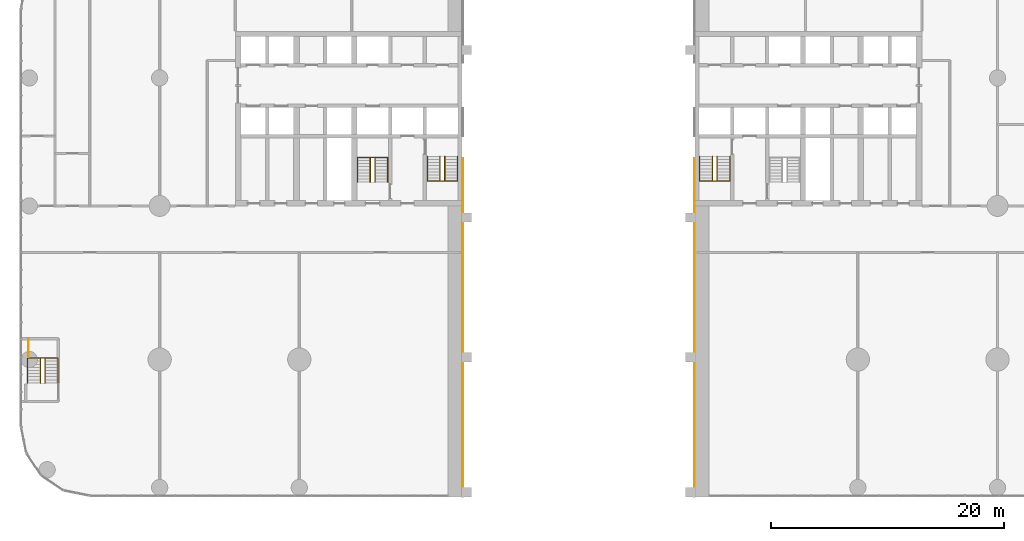
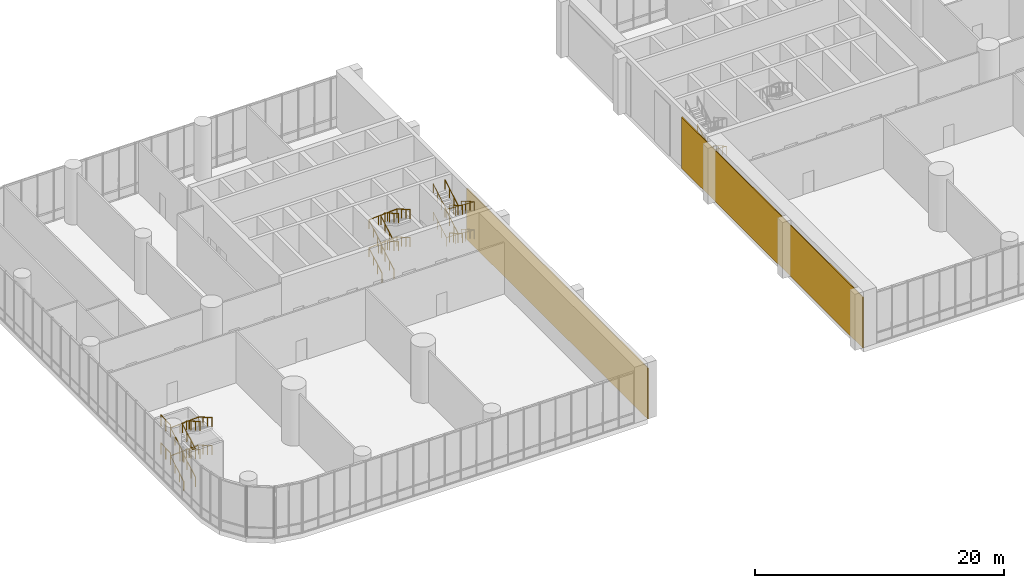
# One storey, part 27 of 28: 16 railings, 2 coverings.
"""IFC4 building model written with IfcOpenShell, lengths in metres."""

from ifc_helpers import new_model, si_unit, direction, frame, frame_2d, origin, origin_2d, place, context, subcontext, project, spatial, rectangle, circle, extrude, material, layer, layer_set, type_object, element, save


model = new_model("IFC4")

# Units and contexts
model_context = context("Model", 3, precision=1e-05, world=origin(), true_north=direction((0.0, 1.0)))
body_context = subcontext(model_context, "Body", "Model", "MODEL_VIEW")
ifc_project = project(units=[si_unit("LENGTHUNIT", "METRE"), si_unit("AREAUNIT", "SQUARE_METRE"), si_unit("VOLUMEUNIT", "CUBIC_METRE"), si_unit("PLANEANGLEUNIT", "RADIAN"), si_unit("MASSUNIT", "GRAM", prefix="KILO")], contexts=[model_context])

# Site, building, storey
site_placement = place(None, origin())
site = spatial("IfcSite", under=ifc_project, at=site_placement, CompositionType="ELEMENT")
building_placement = place(site_placement, origin())
building = spatial("IfcBuilding", under=site, at=building_placement, Name="Torana Hotel and Residences", CompositionType="ELEMENT")
storey_placement = place(building_placement, frame((0.0, 0.0, 7.0)))
storey = spatial("IfcBuildingStorey", under=building, at=storey_placement, Name="L01", CompositionType="ELEMENT", Elevation=7.0)

# Coverings
ifc_material_1 = material(Name="Black metal cladding", Category="metal")
ifc_layer = layer(ifc_material_1, 0.080078125)
ifc_layer_set = layer_set([ifc_layer], Name="CL1 ARCH JAMB CLADDING 80")
covering_type = type_object("IfcCoveringType", Name="CL1 ARCH JAMB CLADDING 80", PredefinedType="CLADDING", material=ifc_layer_set)
for number, where, z_axis, x_axis, name in (
    (1, (-9.9599609375, -40.0, 0.0), (0.0, 0.0, 1.0), (0.0, 1.0, 0.0), "Arch jamb cladding L01 W"),
    (2, (9.9599609375, -40.0, 0.0), (0.0, 0.0, 1.0), (0.0, 1.0, 0.0), "Arch jamb cladding L01 E"),
):
    element("IfcCovering", number, at=place(storey_placement, frame(where, z_axis=z_axis, x_axis=x_axis)), inside=storey, type_object=covering_type, Name=name, PredefinedType="CLADDING", context=body_context, shape_type="SweptSolid", body=[
        extrude(rectangle(XDim=29.10009765625, YDim=0.080078125, at=frame_2d((14.550048828125, 0.0))), origin(), (0.0, 0.0, 1.0), 5.0),
    ])

# Railings
ifc_material_2 = material(Name="Steel S355", Category="steel")
railing_type_1 = type_object("IfcRailingType", Name="STAIR GUARD GR2 1100", PredefinedType="GUARDRAIL", material=ifc_material_2)
for number, where, name in (
    (3, (-47.280029296875, -27.97998046875, 1.375), "Stair guard ST5 L01 landing 1"),
    (4, (-47.280029296875, -27.97998046875, 4.125), "Stair guard ST5 L01 landing 3"),
):
    element("IfcRailing", number, at=place(storey_placement, frame(where)), inside=storey, type_object=railing_type_1, Name=name, PredefinedType="GUARDRAIL", context=body_context, shape_type="SweptSolid", body=[
        extrude(circle(Radius=0.02392578125, at=origin_2d()), frame((0.0, 0.0, 1.076171875), z_axis=(0.0, 1.0, 0.0), x_axis=(-1.0, 0.0, 0.0)), (0.0, 0.0, 1.0), 1.580078125),
        extrude(circle(Radius=0.02099609375, at=origin_2d()), origin(), (0.0, 0.0, 1.0), 1.052001953125),
        extrude(circle(Radius=0.02099609375, at=origin_2d()), frame((0.0, 0.7900390625, 0.0)), (0.0, 0.0, 1.0), 1.052001953125),
        extrude(circle(Radius=0.02099609375, at=origin_2d()), frame((0.0, 1.580078125, 0.0)), (0.0, 0.0, 1.0), 1.052001953125),
    ])
ifc_material_3 = material(Name="Stainless steel 316", Category="steel")
railing_type_2 = type_object("IfcRailingType", Name="STAIR HANDRAIL HR1 900", PredefinedType="HANDRAIL", material=ifc_material_3)
railing_1_placement = place(storey_placement, frame((-10.39990234375, -10.75, 0.15283203125)))
element("IfcRailing", 5, at=railing_1_placement, inside=storey, type_object=railing_type_2, Name="Handrail ST1 L01 O1", PredefinedType="HANDRAIL", context=body_context, shape_type="SweptSolid", body=[
    extrude(circle(Radius=0.02392578125, at=origin_2d()), frame((0.0, 0.0, 0.8759765625), z_axis=(0.0, -0.866358268178, 0.499423018252), x_axis=(1.0, 0.0, 0.0)), (0.0, 0.0, 1.0), 2.447265625),
    extrude(circle(Radius=0.02392578125, at=origin_2d()), frame((0.0, -2.1201171875, 2.09814453125), z_axis=(-0.998276957998, 0.0, 0.058678063447), x_axis=(0.0, -1.0, 0.0)), (0.0, 0.0, 1.0), 2.6044921875),
    extrude(circle(Radius=0.02392578125, at=origin_2d()), frame((-2.60009765625, -2.1201171875, 2.2509765625), z_axis=(0.0, 0.866358268178, 0.499423018252), x_axis=(-1.0, 0.0, 0.0)), (0.0, 0.0, 1.0), 2.447265625),
    extrude(circle(Radius=0.02099609375, at=origin_2d()), origin(), (0.0, 0.0, 1.0), 0.851806640625),
    extrude(circle(Radius=0.02099609375, at=origin_2d()), frame((0.0, -0.706787109375, 0.407470703125)), (0.0, 0.0, 1.0), 0.851806640625),
    extrude(circle(Radius=0.02099609375, at=origin_2d()), frame((0.0, -1.413330078125, 0.814697265625)), (0.0, 0.0, 1.0), 0.851806640625),
    extrude(circle(Radius=0.02099609375, at=origin_2d()), frame((0.0, -2.1201171875, 1.22216796875)), (0.0, 0.0, 1.0), 0.851806640625),
    extrude(circle(Radius=0.02099609375, at=origin_2d()), frame((-0.86669921875, -2.1201171875, 1.273193359375)), (0.0, 0.0, 1.0), 0.851806640625),
    extrude(circle(Radius=0.02099609375, at=origin_2d()), frame((-1.7333984375, -2.1201171875, 1.323974609375)), (0.0, 0.0, 1.0), 0.851806640625),
    extrude(circle(Radius=0.02099609375, at=origin_2d()), frame((-2.60009765625, -2.1201171875, 1.375)), (0.0, 0.0, 1.0), 0.851806640625),
    extrude(circle(Radius=0.02099609375, at=origin_2d()), frame((-2.60009765625, -1.413330078125, 1.782470703125)), (0.0, 0.0, 1.0), 0.851806640625),
    extrude(circle(Radius=0.02099609375, at=origin_2d()), frame((-2.60009765625, -0.706787109375, 2.189697265625)), (0.0, 0.0, 1.0), 0.851806640625),
    extrude(circle(Radius=0.02099609375, at=origin_2d()), frame((-2.60009765625, 0.0, 2.59716796875)), (0.0, 0.0, 1.0), 0.851806640625),
])
railing_2_placement = place(storey_placement, frame((-11.5, -10.75, 0.15283203125)))
element("IfcRailing", 6, at=railing_2_placement, inside=storey, type_object=railing_type_2, Name="Handrail ST1 L01 I1", PredefinedType="HANDRAIL", context=body_context, shape_type="SweptSolid", body=[
    extrude(circle(Radius=0.02392578125, at=origin_2d()), frame((0.0, 0.0, 0.8759765625), z_axis=(0.0, -0.866358268178, 0.499423018252), x_axis=(1.0, 0.0, 0.0)), (0.0, 0.0, 1.0), 2.447265625),
    extrude(circle(Radius=0.02392578125, at=origin_2d()), frame((0.0, -2.1201171875, 2.09814453125), z_axis=(-0.934107774737, 0.0, 0.356991127586), x_axis=(0.0, -1.0, 0.0)), (0.0, 0.0, 1.0), 0.42822265625),
    extrude(circle(Radius=0.02392578125, at=origin_2d()), frame((-0.39990234375, -2.1201171875, 2.2509765625), z_axis=(0.0, 0.866358268178, 0.499423018252), x_axis=(-1.0, 0.0, 0.0)), (0.0, 0.0, 1.0), 2.447265625),
    extrude(circle(Radius=0.02099609375, at=origin_2d()), origin(), (0.0, 0.0, 1.0), 0.851806640625),
    extrude(circle(Radius=0.02099609375, at=origin_2d()), frame((0.0, -0.706787109375, 0.407470703125)), (0.0, 0.0, 1.0), 0.851806640625),
    extrude(circle(Radius=0.02099609375, at=origin_2d()), frame((0.0, -1.413330078125, 0.814697265625)), (0.0, 0.0, 1.0), 0.851806640625),
    extrude(circle(Radius=0.02099609375, at=origin_2d()), frame((0.0, -2.1201171875, 1.22216796875)), (0.0, 0.0, 1.0), 0.851806640625),
    extrude(circle(Radius=0.02099609375, at=origin_2d()), frame((-0.39990234375, -2.1201171875, 1.375)), (0.0, 0.0, 1.0), 0.851806640625),
    extrude(circle(Radius=0.02099609375, at=origin_2d()), frame((-0.39990234375, -1.413330078125, 1.782470703125)), (0.0, 0.0, 1.0), 0.851806640625),
    extrude(circle(Radius=0.02099609375, at=origin_2d()), frame((-0.39990234375, -0.706787109375, 2.189697265625)), (0.0, 0.0, 1.0), 0.851806640625),
    extrude(circle(Radius=0.02099609375, at=origin_2d()), frame((-0.39990234375, 0.0, 2.59716796875)), (0.0, 0.0, 1.0), 0.851806640625),
])
railing_3_placement = place(storey_placement, frame((-10.39990234375, -10.75, 2.90283203125)))
element("IfcRailing", 7, at=railing_3_placement, inside=storey, type_object=railing_type_2, Name="Handrail ST1 L01 O2", PredefinedType="HANDRAIL", context=body_context, shape_type="SweptSolid", body=[
    extrude(circle(Radius=0.02392578125, at=origin_2d()), frame((0.0, 0.0, 0.8759765625), z_axis=(0.0, -0.866358268178, 0.499423018252), x_axis=(1.0, 0.0, 0.0)), (0.0, 0.0, 1.0), 2.447265625),
    extrude(circle(Radius=0.02392578125, at=origin_2d()), frame((0.0, -2.1201171875, 2.09814453125), z_axis=(-0.998276957998, 0.0, 0.058678063447), x_axis=(0.0, -1.0, 0.0)), (0.0, 0.0, 1.0), 2.6044921875),
    extrude(circle(Radius=0.02392578125, at=origin_2d()), frame((-2.60009765625, -2.1201171875, 2.2509765625), z_axis=(0.0, 0.866358268178, 0.499423018252), x_axis=(-1.0, 0.0, 0.0)), (0.0, 0.0, 1.0), 2.447265625),
    extrude(circle(Radius=0.02099609375, at=origin_2d()), origin(), (0.0, 0.0, 1.0), 0.851806640625),
    extrude(circle(Radius=0.02099609375, at=origin_2d()), frame((0.0, -0.706787109375, 0.407470703125)), (0.0, 0.0, 1.0), 0.851806640625),
    extrude(circle(Radius=0.02099609375, at=origin_2d()), frame((0.0, -1.413330078125, 0.814697265625)), (0.0, 0.0, 1.0), 0.851806640625),
    extrude(circle(Radius=0.02099609375, at=origin_2d()), frame((0.0, -2.1201171875, 1.22216796875)), (0.0, 0.0, 1.0), 0.851806640625),
    extrude(circle(Radius=0.02099609375, at=origin_2d()), frame((-0.86669921875, -2.1201171875, 1.273193359375)), (0.0, 0.0, 1.0), 0.851806640625),
    extrude(circle(Radius=0.02099609375, at=origin_2d()), frame((-1.7333984375, -2.1201171875, 1.323974609375)), (0.0, 0.0, 1.0), 0.851806640625),
    extrude(circle(Radius=0.02099609375, at=origin_2d()), frame((-2.60009765625, -2.1201171875, 1.375)), (0.0, 0.0, 1.0), 0.851806640625),
    extrude(circle(Radius=0.02099609375, at=origin_2d()), frame((-2.60009765625, -1.413330078125, 1.782470703125)), (0.0, 0.0, 1.0), 0.851806640625),
    extrude(circle(Radius=0.02099609375, at=origin_2d()), frame((-2.60009765625, -0.706787109375, 2.189697265625)), (0.0, 0.0, 1.0), 0.851806640625),
    extrude(circle(Radius=0.02099609375, at=origin_2d()), frame((-2.60009765625, 0.0, 2.59716796875)), (0.0, 0.0, 1.0), 0.851806640625),
])
railing_4_placement = place(storey_placement, frame((-11.5, -10.75, 2.90283203125)))
element("IfcRailing", 8, at=railing_4_placement, inside=storey, type_object=railing_type_2, Name="Handrail ST1 L01 I2", PredefinedType="HANDRAIL", context=body_context, shape_type="SweptSolid", body=[
    extrude(circle(Radius=0.02392578125, at=origin_2d()), frame((0.0, 0.0, 0.8759765625), z_axis=(0.0, -0.866358268178, 0.499423018252), x_axis=(1.0, 0.0, 0.0)), (0.0, 0.0, 1.0), 2.447265625),
    extrude(circle(Radius=0.02392578125, at=origin_2d()), frame((0.0, -2.1201171875, 2.09814453125), z_axis=(-0.934107774737, 0.0, 0.356991127586), x_axis=(0.0, -1.0, 0.0)), (0.0, 0.0, 1.0), 0.42822265625),
    extrude(circle(Radius=0.02392578125, at=origin_2d()), frame((-0.39990234375, -2.1201171875, 2.2509765625), z_axis=(0.0, 0.866358268178, 0.499423018252), x_axis=(-1.0, 0.0, 0.0)), (0.0, 0.0, 1.0), 2.447265625),
    extrude(circle(Radius=0.02099609375, at=origin_2d()), origin(), (0.0, 0.0, 1.0), 0.851806640625),
    extrude(circle(Radius=0.02099609375, at=origin_2d()), frame((0.0, -0.706787109375, 0.407470703125)), (0.0, 0.0, 1.0), 0.851806640625),
    extrude(circle(Radius=0.02099609375, at=origin_2d()), frame((0.0, -1.413330078125, 0.814697265625)), (0.0, 0.0, 1.0), 0.851806640625),
    extrude(circle(Radius=0.02099609375, at=origin_2d()), frame((0.0, -2.1201171875, 1.22216796875)), (0.0, 0.0, 1.0), 0.851806640625),
    extrude(circle(Radius=0.02099609375, at=origin_2d()), frame((-0.39990234375, -2.1201171875, 1.375)), (0.0, 0.0, 1.0), 0.851806640625),
    extrude(circle(Radius=0.02099609375, at=origin_2d()), frame((-0.39990234375, -1.413330078125, 1.782470703125)), (0.0, 0.0, 1.0), 0.851806640625),
    extrude(circle(Radius=0.02099609375, at=origin_2d()), frame((-0.39990234375, -0.706787109375, 2.189697265625)), (0.0, 0.0, 1.0), 0.851806640625),
    extrude(circle(Radius=0.02099609375, at=origin_2d()), frame((-0.39990234375, 0.0, 2.59716796875)), (0.0, 0.0, 1.0), 0.851806640625),
])
railing_5_placement = place(storey_placement, frame((-19.0, -12.949951171875, 0.15283203125)))
element("IfcRailing", 9, at=railing_5_placement, inside=storey, type_object=railing_type_2, Name="Handrail ST2 L01 O1", PredefinedType="HANDRAIL", context=body_context, shape_type="SweptSolid", body=[
    extrude(circle(Radius=0.02392578125, at=origin_2d()), frame((0.0, 0.0, 0.8759765625), z_axis=(0.0, 0.866333381259, 0.49946618756), x_axis=(-1.0, 0.0, 0.0)), (0.0, 0.0, 1.0), 2.447021484375),
    extrude(circle(Radius=0.02392578125, at=origin_2d()), frame((0.0, 2.119873046875, 2.09814453125), z_axis=(0.998276957998, 0.0, 0.058678063447), x_axis=(0.0, 1.0, 0.0)), (0.0, 0.0, 1.0), 2.6044921875),
    extrude(circle(Radius=0.02392578125, at=origin_2d()), frame((2.60009765625, 2.119873046875, 2.2509765625), z_axis=(0.0, -0.866333381259, 0.49946618756), x_axis=(1.0, 0.0, 0.0)), (0.0, 0.0, 1.0), 2.447021484375),
    extrude(circle(Radius=0.02099609375, at=origin_2d()), origin(), (0.0, 0.0, 1.0), 0.851806640625),
    extrude(circle(Radius=0.02099609375, at=origin_2d()), frame((0.0, 0.70654296875, 0.407470703125)), (0.0, 0.0, 1.0), 0.851806640625),
    extrude(circle(Radius=0.02099609375, at=origin_2d()), frame((0.0, 1.413330078125, 0.814697265625)), (0.0, 0.0, 1.0), 0.851806640625),
    extrude(circle(Radius=0.02099609375, at=origin_2d()), frame((0.0, 2.119873046875, 1.22216796875)), (0.0, 0.0, 1.0), 0.851806640625),
    extrude(circle(Radius=0.02099609375, at=origin_2d()), frame((0.86669921875, 2.119873046875, 1.273193359375)), (0.0, 0.0, 1.0), 0.851806640625),
    extrude(circle(Radius=0.02099609375, at=origin_2d()), frame((1.7333984375, 2.119873046875, 1.323974609375)), (0.0, 0.0, 1.0), 0.851806640625),
    extrude(circle(Radius=0.02099609375, at=origin_2d()), frame((2.60009765625, 2.119873046875, 1.375)), (0.0, 0.0, 1.0), 0.851806640625),
    extrude(circle(Radius=0.02099609375, at=origin_2d()), frame((2.60009765625, 1.413330078125, 1.782470703125)), (0.0, 0.0, 1.0), 0.851806640625),
    extrude(circle(Radius=0.02099609375, at=origin_2d()), frame((2.60009765625, 0.70654296875, 2.189697265625)), (0.0, 0.0, 1.0), 0.851806640625),
    extrude(circle(Radius=0.02099609375, at=origin_2d()), frame((2.60009765625, 0.0, 2.59716796875)), (0.0, 0.0, 1.0), 0.851806640625),
])
railing_6_placement = place(storey_placement, frame((-17.89990234375, -12.949951171875, 0.15283203125)))
element("IfcRailing", 10, at=railing_6_placement, inside=storey, type_object=railing_type_2, Name="Handrail ST2 L01 I1", PredefinedType="HANDRAIL", context=body_context, shape_type="SweptSolid", body=[
    extrude(circle(Radius=0.02392578125, at=origin_2d()), frame((0.0, 0.0, 0.8759765625), z_axis=(0.0, 0.866333381259, 0.49946618756), x_axis=(-1.0, 0.0, 0.0)), (0.0, 0.0, 1.0), 2.447021484375),
    extrude(circle(Radius=0.02392578125, at=origin_2d()), frame((0.0, 2.119873046875, 2.09814453125), z_axis=(0.934107774737, 0.0, 0.356991127586), x_axis=(0.0, 1.0, 0.0)), (0.0, 0.0, 1.0), 0.42822265625),
    extrude(circle(Radius=0.02392578125, at=origin_2d()), frame((0.39990234375, 2.119873046875, 2.2509765625), z_axis=(0.0, -0.866333381259, 0.49946618756), x_axis=(1.0, 0.0, 0.0)), (0.0, 0.0, 1.0), 2.447021484375),
    extrude(circle(Radius=0.02099609375, at=origin_2d()), origin(), (0.0, 0.0, 1.0), 0.851806640625),
    extrude(circle(Radius=0.02099609375, at=origin_2d()), frame((0.0, 0.70654296875, 0.407470703125)), (0.0, 0.0, 1.0), 0.851806640625),
    extrude(circle(Radius=0.02099609375, at=origin_2d()), frame((0.0, 1.413330078125, 0.814697265625)), (0.0, 0.0, 1.0), 0.851806640625),
    extrude(circle(Radius=0.02099609375, at=origin_2d()), frame((0.0, 2.119873046875, 1.22216796875)), (0.0, 0.0, 1.0), 0.851806640625),
    extrude(circle(Radius=0.02099609375, at=origin_2d()), frame((0.39990234375, 2.119873046875, 1.375)), (0.0, 0.0, 1.0), 0.851806640625),
    extrude(circle(Radius=0.02099609375, at=origin_2d()), frame((0.39990234375, 1.413330078125, 1.782470703125)), (0.0, 0.0, 1.0), 0.851806640625),
    extrude(circle(Radius=0.02099609375, at=origin_2d()), frame((0.39990234375, 0.70654296875, 2.189697265625)), (0.0, 0.0, 1.0), 0.851806640625),
    extrude(circle(Radius=0.02099609375, at=origin_2d()), frame((0.39990234375, 0.0, 2.59716796875)), (0.0, 0.0, 1.0), 0.851806640625),
])
railing_7_placement = place(storey_placement, frame((-19.0, -12.949951171875, 2.90283203125)))
element("IfcRailing", 11, at=railing_7_placement, inside=storey, type_object=railing_type_2, Name="Handrail ST2 L01 O2", PredefinedType="HANDRAIL", context=body_context, shape_type="SweptSolid", body=[
    extrude(circle(Radius=0.02392578125, at=origin_2d()), frame((0.0, 0.0, 0.8759765625), z_axis=(0.0, 0.866333381259, 0.49946618756), x_axis=(-1.0, 0.0, 0.0)), (0.0, 0.0, 1.0), 2.447021484375),
    extrude(circle(Radius=0.02392578125, at=origin_2d()), frame((0.0, 2.119873046875, 2.09814453125), z_axis=(0.998276957998, 0.0, 0.058678063447), x_axis=(0.0, 1.0, 0.0)), (0.0, 0.0, 1.0), 2.6044921875),
    extrude(circle(Radius=0.02392578125, at=origin_2d()), frame((2.60009765625, 2.119873046875, 2.2509765625), z_axis=(0.0, -0.866333381259, 0.49946618756), x_axis=(1.0, 0.0, 0.0)), (0.0, 0.0, 1.0), 2.447021484375),
    extrude(circle(Radius=0.02099609375, at=origin_2d()), origin(), (0.0, 0.0, 1.0), 0.851806640625),
    extrude(circle(Radius=0.02099609375, at=origin_2d()), frame((0.0, 0.70654296875, 0.407470703125)), (0.0, 0.0, 1.0), 0.851806640625),
    extrude(circle(Radius=0.02099609375, at=origin_2d()), frame((0.0, 1.413330078125, 0.814697265625)), (0.0, 0.0, 1.0), 0.851806640625),
    extrude(circle(Radius=0.02099609375, at=origin_2d()), frame((0.0, 2.119873046875, 1.22216796875)), (0.0, 0.0, 1.0), 0.851806640625),
    extrude(circle(Radius=0.02099609375, at=origin_2d()), frame((0.86669921875, 2.119873046875, 1.273193359375)), (0.0, 0.0, 1.0), 0.851806640625),
    extrude(circle(Radius=0.02099609375, at=origin_2d()), frame((1.7333984375, 2.119873046875, 1.323974609375)), (0.0, 0.0, 1.0), 0.851806640625),
    extrude(circle(Radius=0.02099609375, at=origin_2d()), frame((2.60009765625, 2.119873046875, 1.375)), (0.0, 0.0, 1.0), 0.851806640625),
    extrude(circle(Radius=0.02099609375, at=origin_2d()), frame((2.60009765625, 1.413330078125, 1.782470703125)), (0.0, 0.0, 1.0), 0.851806640625),
    extrude(circle(Radius=0.02099609375, at=origin_2d()), frame((2.60009765625, 0.70654296875, 2.189697265625)), (0.0, 0.0, 1.0), 0.851806640625),
    extrude(circle(Radius=0.02099609375, at=origin_2d()), frame((2.60009765625, 0.0, 2.59716796875)), (0.0, 0.0, 1.0), 0.851806640625),
])
railing_8_placement = place(storey_placement, frame((-17.89990234375, -12.949951171875, 2.90283203125)))
element("IfcRailing", 12, at=railing_8_placement, inside=storey, type_object=railing_type_2, Name="Handrail ST2 L01 I2", PredefinedType="HANDRAIL", context=body_context, shape_type="SweptSolid", body=[
    extrude(circle(Radius=0.02392578125, at=origin_2d()), frame((0.0, 0.0, 0.8759765625), z_axis=(0.0, 0.866333381259, 0.49946618756), x_axis=(-1.0, 0.0, 0.0)), (0.0, 0.0, 1.0), 2.447021484375),
    extrude(circle(Radius=0.02392578125, at=origin_2d()), frame((0.0, 2.119873046875, 2.09814453125), z_axis=(0.934107774737, 0.0, 0.356991127586), x_axis=(0.0, 1.0, 0.0)), (0.0, 0.0, 1.0), 0.42822265625),
    extrude(circle(Radius=0.02392578125, at=origin_2d()), frame((0.39990234375, 2.119873046875, 2.2509765625), z_axis=(0.0, -0.866333381259, 0.49946618756), x_axis=(1.0, 0.0, 0.0)), (0.0, 0.0, 1.0), 2.447021484375),
    extrude(circle(Radius=0.02099609375, at=origin_2d()), origin(), (0.0, 0.0, 1.0), 0.851806640625),
    extrude(circle(Radius=0.02099609375, at=origin_2d()), frame((0.0, 0.70654296875, 0.407470703125)), (0.0, 0.0, 1.0), 0.851806640625),
    extrude(circle(Radius=0.02099609375, at=origin_2d()), frame((0.0, 1.413330078125, 0.814697265625)), (0.0, 0.0, 1.0), 0.851806640625),
    extrude(circle(Radius=0.02099609375, at=origin_2d()), frame((0.0, 2.119873046875, 1.22216796875)), (0.0, 0.0, 1.0), 0.851806640625),
    extrude(circle(Radius=0.02099609375, at=origin_2d()), frame((0.39990234375, 2.119873046875, 1.375)), (0.0, 0.0, 1.0), 0.851806640625),
    extrude(circle(Radius=0.02099609375, at=origin_2d()), frame((0.39990234375, 1.413330078125, 1.782470703125)), (0.0, 0.0, 1.0), 0.851806640625),
    extrude(circle(Radius=0.02099609375, at=origin_2d()), frame((0.39990234375, 0.70654296875, 2.189697265625)), (0.0, 0.0, 1.0), 0.851806640625),
    extrude(circle(Radius=0.02099609375, at=origin_2d()), frame((0.39990234375, 0.0, 2.59716796875)), (0.0, 0.0, 1.0), 0.851806640625),
])
railing_9_placement = place(storey_placement, frame((13.0, -10.75, 0.15283203125)))
element("IfcRailing", 13, at=railing_9_placement, inside=storey, type_object=railing_type_2, Name="Handrail ST3 L01 O1", PredefinedType="HANDRAIL", context=body_context, shape_type="SweptSolid", body=[
    extrude(circle(Radius=0.02392578125, at=origin_2d()), frame((0.0, 0.0, 0.8759765625), z_axis=(0.0, -0.866358268178, 0.499423018252), x_axis=(1.0, 0.0, 0.0)), (0.0, 0.0, 1.0), 2.447265625),
    extrude(circle(Radius=0.02392578125, at=origin_2d()), frame((0.0, -2.1201171875, 2.09814453125), z_axis=(-0.998276957998, 0.0, 0.058678063447), x_axis=(0.0, -1.0, 0.0)), (0.0, 0.0, 1.0), 2.6044921875),
    extrude(circle(Radius=0.02392578125, at=origin_2d()), frame((-2.60009765625, -2.1201171875, 2.2509765625), z_axis=(0.0, 0.866358268178, 0.499423018252), x_axis=(-1.0, 0.0, 0.0)), (0.0, 0.0, 1.0), 2.447265625),
    extrude(circle(Radius=0.02099609375, at=origin_2d()), origin(), (0.0, 0.0, 1.0), 0.851806640625),
    extrude(circle(Radius=0.02099609375, at=origin_2d()), frame((0.0, -0.706787109375, 0.407470703125)), (0.0, 0.0, 1.0), 0.851806640625),
    extrude(circle(Radius=0.02099609375, at=origin_2d()), frame((0.0, -1.413330078125, 0.814697265625)), (0.0, 0.0, 1.0), 0.851806640625),
    extrude(circle(Radius=0.02099609375, at=origin_2d()), frame((0.0, -2.1201171875, 1.22216796875)), (0.0, 0.0, 1.0), 0.851806640625),
    extrude(circle(Radius=0.02099609375, at=origin_2d()), frame((-0.86669921875, -2.1201171875, 1.273193359375)), (0.0, 0.0, 1.0), 0.851806640625),
    extrude(circle(Radius=0.02099609375, at=origin_2d()), frame((-1.7333984375, -2.1201171875, 1.323974609375)), (0.0, 0.0, 1.0), 0.851806640625),
    extrude(circle(Radius=0.02099609375, at=origin_2d()), frame((-2.60009765625, -2.1201171875, 1.375)), (0.0, 0.0, 1.0), 0.851806640625),
    extrude(circle(Radius=0.02099609375, at=origin_2d()), frame((-2.60009765625, -1.413330078125, 1.782470703125)), (0.0, 0.0, 1.0), 0.851806640625),
    extrude(circle(Radius=0.02099609375, at=origin_2d()), frame((-2.60009765625, -0.706787109375, 2.189697265625)), (0.0, 0.0, 1.0), 0.851806640625),
    extrude(circle(Radius=0.02099609375, at=origin_2d()), frame((-2.60009765625, 0.0, 2.59716796875)), (0.0, 0.0, 1.0), 0.851806640625),
])
railing_10_placement = place(storey_placement, frame((11.89990234375, -10.75, 0.15283203125)))
element("IfcRailing", 14, at=railing_10_placement, inside=storey, type_object=railing_type_2, Name="Handrail ST3 L01 I1", PredefinedType="HANDRAIL", context=body_context, shape_type="SweptSolid", body=[
    extrude(circle(Radius=0.02392578125, at=origin_2d()), frame((0.0, 0.0, 0.8759765625), z_axis=(0.0, -0.866358268178, 0.499423018252), x_axis=(1.0, 0.0, 0.0)), (0.0, 0.0, 1.0), 2.447265625),
    extrude(circle(Radius=0.02392578125, at=origin_2d()), frame((0.0, -2.1201171875, 2.09814453125), z_axis=(-0.934107774737, 0.0, 0.356991127586), x_axis=(0.0, -1.0, 0.0)), (0.0, 0.0, 1.0), 0.42822265625),
    extrude(circle(Radius=0.02392578125, at=origin_2d()), frame((-0.39990234375, -2.1201171875, 2.2509765625), z_axis=(0.0, 0.866358268178, 0.499423018252), x_axis=(-1.0, 0.0, 0.0)), (0.0, 0.0, 1.0), 2.447265625),
    extrude(circle(Radius=0.02099609375, at=origin_2d()), origin(), (0.0, 0.0, 1.0), 0.851806640625),
    extrude(circle(Radius=0.02099609375, at=origin_2d()), frame((0.0, -0.706787109375, 0.407470703125)), (0.0, 0.0, 1.0), 0.851806640625),
    extrude(circle(Radius=0.02099609375, at=origin_2d()), frame((0.0, -1.413330078125, 0.814697265625)), (0.0, 0.0, 1.0), 0.851806640625),
    extrude(circle(Radius=0.02099609375, at=origin_2d()), frame((0.0, -2.1201171875, 1.22216796875)), (0.0, 0.0, 1.0), 0.851806640625),
    extrude(circle(Radius=0.02099609375, at=origin_2d()), frame((-0.39990234375, -2.1201171875, 1.375)), (0.0, 0.0, 1.0), 0.851806640625),
    extrude(circle(Radius=0.02099609375, at=origin_2d()), frame((-0.39990234375, -1.413330078125, 1.782470703125)), (0.0, 0.0, 1.0), 0.851806640625),
    extrude(circle(Radius=0.02099609375, at=origin_2d()), frame((-0.39990234375, -0.706787109375, 2.189697265625)), (0.0, 0.0, 1.0), 0.851806640625),
    extrude(circle(Radius=0.02099609375, at=origin_2d()), frame((-0.39990234375, 0.0, 2.59716796875)), (0.0, 0.0, 1.0), 0.851806640625),
])
railing_11_placement = place(storey_placement, frame((-47.35009765625, -30.199951171875, 0.15283203125)))
element("IfcRailing", 15, at=railing_11_placement, inside=storey, type_object=railing_type_2, Name="Handrail ST5 L01 O1", PredefinedType="HANDRAIL", context=body_context, shape_type="SweptSolid", body=[
    extrude(circle(Radius=0.02392578125, at=origin_2d()), frame((0.0, 0.0, 0.8759765625), z_axis=(0.0, 0.866333381259, 0.49946618756), x_axis=(-1.0, 0.0, 0.0)), (0.0, 0.0, 1.0), 2.447021484375),
    extrude(circle(Radius=0.02392578125, at=origin_2d()), frame((0.0, 2.119873046875, 2.09814453125), z_axis=(0.998276957998, 0.0, 0.058678063447), x_axis=(0.0, 1.0, 0.0)), (0.0, 0.0, 1.0), 2.6044921875),
    extrude(circle(Radius=0.02392578125, at=origin_2d()), frame((2.60009765625, 2.119873046875, 2.2509765625), z_axis=(0.0, -0.866333381259, 0.49946618756), x_axis=(1.0, 0.0, 0.0)), (0.0, 0.0, 1.0), 2.447021484375),
    extrude(circle(Radius=0.02099609375, at=origin_2d()), origin(), (0.0, 0.0, 1.0), 0.851806640625),
    extrude(circle(Radius=0.02099609375, at=origin_2d()), frame((0.0, 0.70654296875, 0.407470703125)), (0.0, 0.0, 1.0), 0.851806640625),
    extrude(circle(Radius=0.02099609375, at=origin_2d()), frame((0.0, 1.413330078125, 0.814697265625)), (0.0, 0.0, 1.0), 0.851806640625),
    extrude(circle(Radius=0.02099609375, at=origin_2d()), frame((0.0, 2.119873046875, 1.22216796875)), (0.0, 0.0, 1.0), 0.851806640625),
    extrude(circle(Radius=0.02099609375, at=origin_2d()), frame((0.86669921875, 2.119873046875, 1.273193359375)), (0.0, 0.0, 1.0), 0.851806640625),
    extrude(circle(Radius=0.02099609375, at=origin_2d()), frame((1.7333984375, 2.119873046875, 1.323974609375)), (0.0, 0.0, 1.0), 0.851806640625),
    extrude(circle(Radius=0.02099609375, at=origin_2d()), frame((2.60009765625, 2.119873046875, 1.375)), (0.0, 0.0, 1.0), 0.851806640625),
    extrude(circle(Radius=0.02099609375, at=origin_2d()), frame((2.60009765625, 1.413330078125, 1.782470703125)), (0.0, 0.0, 1.0), 0.851806640625),
    extrude(circle(Radius=0.02099609375, at=origin_2d()), frame((2.60009765625, 0.70654296875, 2.189697265625)), (0.0, 0.0, 1.0), 0.851806640625),
    extrude(circle(Radius=0.02099609375, at=origin_2d()), frame((2.60009765625, 0.0, 2.59716796875)), (0.0, 0.0, 1.0), 0.851806640625),
])
railing_12_placement = place(storey_placement, frame((-46.25, -30.199951171875, 0.15283203125)))
element("IfcRailing", 16, at=railing_12_placement, inside=storey, type_object=railing_type_2, Name="Handrail ST5 L01 I1", PredefinedType="HANDRAIL", context=body_context, shape_type="SweptSolid", body=[
    extrude(circle(Radius=0.02392578125, at=origin_2d()), frame((0.0, 0.0, 0.8759765625), z_axis=(0.0, 0.866333381259, 0.49946618756), x_axis=(-1.0, 0.0, 0.0)), (0.0, 0.0, 1.0), 2.447021484375),
    extrude(circle(Radius=0.02392578125, at=origin_2d()), frame((0.0, 2.119873046875, 2.09814453125), z_axis=(0.934107774737, 0.0, 0.356991127586), x_axis=(0.0, 1.0, 0.0)), (0.0, 0.0, 1.0), 0.42822265625),
    extrude(circle(Radius=0.02392578125, at=origin_2d()), frame((0.39990234375, 2.119873046875, 2.2509765625), z_axis=(0.0, -0.866333381259, 0.49946618756), x_axis=(1.0, 0.0, 0.0)), (0.0, 0.0, 1.0), 2.447021484375),
    extrude(circle(Radius=0.02099609375, at=origin_2d()), origin(), (0.0, 0.0, 1.0), 0.851806640625),
    extrude(circle(Radius=0.02099609375, at=origin_2d()), frame((0.0, 0.70654296875, 0.407470703125)), (0.0, 0.0, 1.0), 0.851806640625),
    extrude(circle(Radius=0.02099609375, at=origin_2d()), frame((0.0, 1.413330078125, 0.814697265625)), (0.0, 0.0, 1.0), 0.851806640625),
    extrude(circle(Radius=0.02099609375, at=origin_2d()), frame((0.0, 2.119873046875, 1.22216796875)), (0.0, 0.0, 1.0), 0.851806640625),
    extrude(circle(Radius=0.02099609375, at=origin_2d()), frame((0.39990234375, 2.119873046875, 1.375)), (0.0, 0.0, 1.0), 0.851806640625),
    extrude(circle(Radius=0.02099609375, at=origin_2d()), frame((0.39990234375, 1.413330078125, 1.782470703125)), (0.0, 0.0, 1.0), 0.851806640625),
    extrude(circle(Radius=0.02099609375, at=origin_2d()), frame((0.39990234375, 0.70654296875, 2.189697265625)), (0.0, 0.0, 1.0), 0.851806640625),
    extrude(circle(Radius=0.02099609375, at=origin_2d()), frame((0.39990234375, 0.0, 2.59716796875)), (0.0, 0.0, 1.0), 0.851806640625),
])
railing_13_placement = place(storey_placement, frame((-47.35009765625, -30.199951171875, 2.90283203125)))
element("IfcRailing", 17, at=railing_13_placement, inside=storey, type_object=railing_type_2, Name="Handrail ST5 L01 O2", PredefinedType="HANDRAIL", context=body_context, shape_type="SweptSolid", body=[
    extrude(circle(Radius=0.02392578125, at=origin_2d()), frame((0.0, 0.0, 0.8759765625), z_axis=(0.0, 0.866333381259, 0.49946618756), x_axis=(-1.0, 0.0, 0.0)), (0.0, 0.0, 1.0), 2.447021484375),
    extrude(circle(Radius=0.02392578125, at=origin_2d()), frame((0.0, 2.119873046875, 2.09814453125), z_axis=(0.998276957998, 0.0, 0.058678063447), x_axis=(0.0, 1.0, 0.0)), (0.0, 0.0, 1.0), 2.6044921875),
    extrude(circle(Radius=0.02392578125, at=origin_2d()), frame((2.60009765625, 2.119873046875, 2.2509765625), z_axis=(0.0, -0.866333381259, 0.49946618756), x_axis=(1.0, 0.0, 0.0)), (0.0, 0.0, 1.0), 2.447021484375),
    extrude(circle(Radius=0.02099609375, at=origin_2d()), origin(), (0.0, 0.0, 1.0), 0.851806640625),
    extrude(circle(Radius=0.02099609375, at=origin_2d()), frame((0.0, 0.70654296875, 0.407470703125)), (0.0, 0.0, 1.0), 0.851806640625),
    extrude(circle(Radius=0.02099609375, at=origin_2d()), frame((0.0, 1.413330078125, 0.814697265625)), (0.0, 0.0, 1.0), 0.851806640625),
    extrude(circle(Radius=0.02099609375, at=origin_2d()), frame((0.0, 2.119873046875, 1.22216796875)), (0.0, 0.0, 1.0), 0.851806640625),
    extrude(circle(Radius=0.02099609375, at=origin_2d()), frame((0.86669921875, 2.119873046875, 1.273193359375)), (0.0, 0.0, 1.0), 0.851806640625),
    extrude(circle(Radius=0.02099609375, at=origin_2d()), frame((1.7333984375, 2.119873046875, 1.323974609375)), (0.0, 0.0, 1.0), 0.851806640625),
    extrude(circle(Radius=0.02099609375, at=origin_2d()), frame((2.60009765625, 2.119873046875, 1.375)), (0.0, 0.0, 1.0), 0.851806640625),
    extrude(circle(Radius=0.02099609375, at=origin_2d()), frame((2.60009765625, 1.413330078125, 1.782470703125)), (0.0, 0.0, 1.0), 0.851806640625),
    extrude(circle(Radius=0.02099609375, at=origin_2d()), frame((2.60009765625, 0.70654296875, 2.189697265625)), (0.0, 0.0, 1.0), 0.851806640625),
    extrude(circle(Radius=0.02099609375, at=origin_2d()), frame((2.60009765625, 0.0, 2.59716796875)), (0.0, 0.0, 1.0), 0.851806640625),
])
railing_14_placement = place(storey_placement, frame((-46.25, -30.199951171875, 2.90283203125)))
element("IfcRailing", 18, at=railing_14_placement, inside=storey, type_object=railing_type_2, Name="Handrail ST5 L01 I2", PredefinedType="HANDRAIL", context=body_context, shape_type="SweptSolid", body=[
    extrude(circle(Radius=0.02392578125, at=origin_2d()), frame((0.0, 0.0, 0.8759765625), z_axis=(0.0, 0.866333381259, 0.49946618756), x_axis=(-1.0, 0.0, 0.0)), (0.0, 0.0, 1.0), 2.447021484375),
    extrude(circle(Radius=0.02392578125, at=origin_2d()), frame((0.0, 2.119873046875, 2.09814453125), z_axis=(0.934107774737, 0.0, 0.356991127586), x_axis=(0.0, 1.0, 0.0)), (0.0, 0.0, 1.0), 0.42822265625),
    extrude(circle(Radius=0.02392578125, at=origin_2d()), frame((0.39990234375, 2.119873046875, 2.2509765625), z_axis=(0.0, -0.866333381259, 0.49946618756), x_axis=(1.0, 0.0, 0.0)), (0.0, 0.0, 1.0), 2.447021484375),
    extrude(circle(Radius=0.02099609375, at=origin_2d()), origin(), (0.0, 0.0, 1.0), 0.851806640625),
    extrude(circle(Radius=0.02099609375, at=origin_2d()), frame((0.0, 0.70654296875, 0.407470703125)), (0.0, 0.0, 1.0), 0.851806640625),
    extrude(circle(Radius=0.02099609375, at=origin_2d()), frame((0.0, 1.413330078125, 0.814697265625)), (0.0, 0.0, 1.0), 0.851806640625),
    extrude(circle(Radius=0.02099609375, at=origin_2d()), frame((0.0, 2.119873046875, 1.22216796875)), (0.0, 0.0, 1.0), 0.851806640625),
    extrude(circle(Radius=0.02099609375, at=origin_2d()), frame((0.39990234375, 2.119873046875, 1.375)), (0.0, 0.0, 1.0), 0.851806640625),
    extrude(circle(Radius=0.02099609375, at=origin_2d()), frame((0.39990234375, 1.413330078125, 1.782470703125)), (0.0, 0.0, 1.0), 0.851806640625),
    extrude(circle(Radius=0.02099609375, at=origin_2d()), frame((0.39990234375, 0.70654296875, 2.189697265625)), (0.0, 0.0, 1.0), 0.851806640625),
    extrude(circle(Radius=0.02099609375, at=origin_2d()), frame((0.39990234375, 0.0, 2.59716796875)), (0.0, 0.0, 1.0), 0.851806640625),
])

save(model, "model.ifc")
